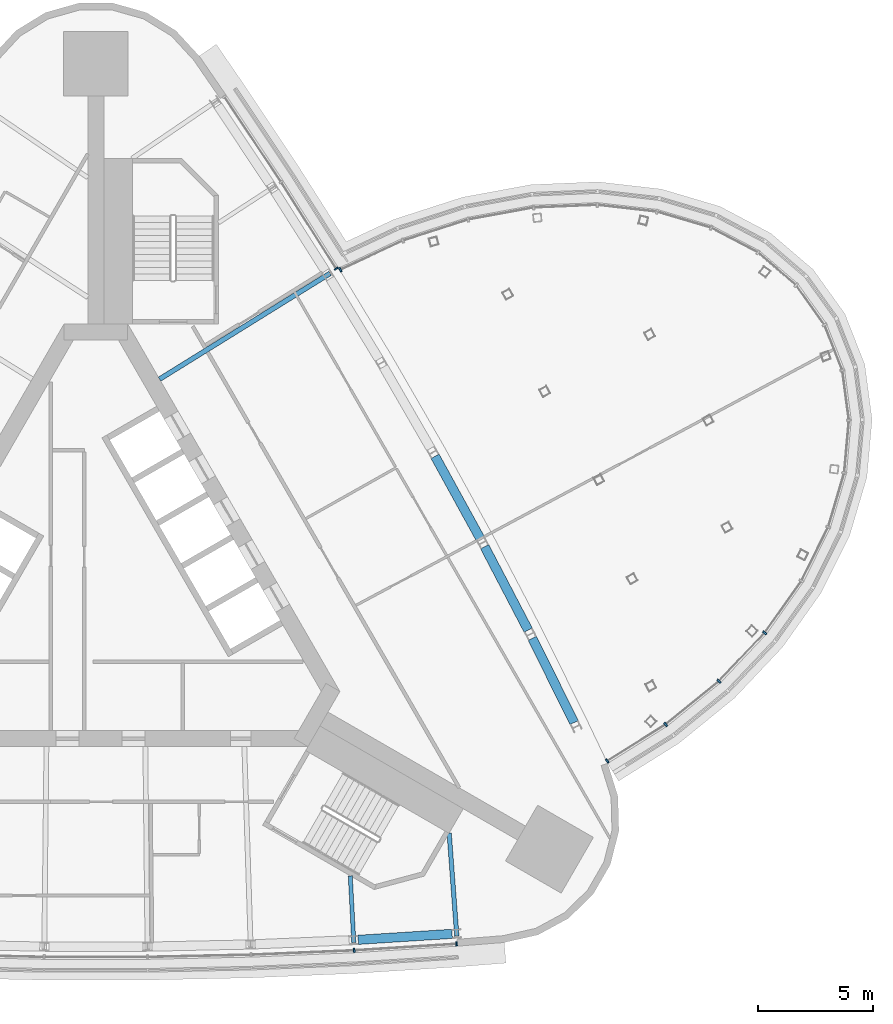
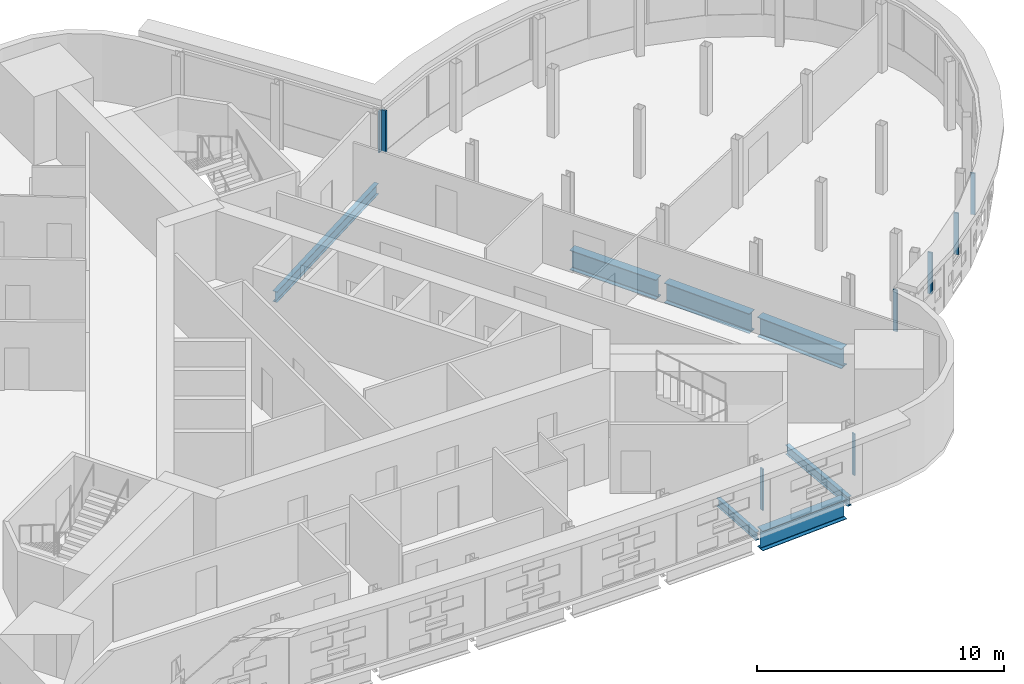
# One storey, part 6 of 15: 8 members, 7 beams, 3 elements without a shape of their own.
"""IFC4 building model written with IfcOpenShell, lengths in metres."""

from ifc_helpers import new_model, si_unit, direction, frame, origin, origin_2d, place, context, subcontext, project, spatial, rectangle, i_section, extrude, material, material_profile, profile_set, type_object, element, aggregate, save


model = new_model("IFC4")

# Units and contexts
model_context = context("Model", 3, precision=1e-05, world=origin(), true_north=direction((0.0, 1.0)))
body_context = subcontext(model_context, "Body", "Model", "MODEL_VIEW")
ifc_project = project(units=[si_unit("LENGTHUNIT", "METRE"), si_unit("AREAUNIT", "SQUARE_METRE"), si_unit("VOLUMEUNIT", "CUBIC_METRE"), si_unit("PLANEANGLEUNIT", "RADIAN"), si_unit("MASSUNIT", "GRAM", prefix="KILO")], contexts=[model_context])

# Site, building, storey
site_placement = place(None, origin())
site = spatial("IfcSite", under=ifc_project, at=site_placement, CompositionType="ELEMENT")
building_placement = place(site_placement, origin())
building = spatial("IfcBuilding", under=site, at=building_placement, Name="Noor Cloister Tower", CompositionType="ELEMENT")
storey_placement = place(building_placement, frame((0.0, 0.0, 174.300048828125)))
storey = spatial("IfcBuildingStorey", under=building, at=storey_placement, Name="L44", CompositionType="ELEMENT", Elevation=174.300048828125)

# Beams
ifc_material_1 = material(Name="Steel ASTM A992 Gr 50", Category="steel")
ifc_material_profile_1 = material_profile(ifc_material_1, i_section(OverallWidth=0.40087890625, OverallDepth=0.98291015625, WebThickness=0.0166015625, FlangeThickness=0.027099609375, FilletRadius=0.030029296875, at=origin_2d()), Name="W1000x296")
ifc_profile_set_1 = profile_set([ifc_material_profile_1], Name="Steel ASTM A992 Gr 50")
beam_type_1 = type_object("IfcBeamType", Name="Belt chord girder W1000x296", PredefinedType="BEAM", material=ifc_profile_set_1)
for number, where, z_axis, x_axis, name in (
    (1, (11.412353515625, -15.335693359375, -0.691650390625), (0.99798140433, 0.063506823352, 0.0), (-0.063506823352, 0.99798140433, 0.0), "Spandrel beam S 07 L44"),
    (2, (20.804931640625, -5.884033203125, -0.691650390625), (-0.444014503497, 0.896019598382, 0.0), (-0.896019598382, -0.444014503497, 0.0), "Spandrel beam NE 01 L44"),
    (3, (18.80859375, -1.8642578125, -0.691650390625), (-0.462910374698, 0.886405090801, 0.0), (-0.886405090801, -0.462910374698, 0.0), "Spandrel beam NE 02 L44"),
):
    element("IfcBeam", number, at=place(storey_placement, frame(where, z_axis=z_axis, x_axis=x_axis)), inside=storey, type_object=beam_type_1, Name=name, PredefinedType="BEAM", context=body_context, shape_type="SweptSolid", body=[
        extrude(i_section(OverallWidth=0.40087890625, OverallDepth=0.98291015625, WebThickness=0.0166015625, FlangeThickness=0.027099609375, FilletRadius=0.030029296875, at=origin_2d()), origin(), (0.0, 0.0, 1.0), 4.09423828125),
    ])
beam_1_placement = place(storey_placement, frame((16.727294921875, 2.1123046875, -0.691650390625), z_axis=(-0.481536411785, 0.876426085945, 0.0), x_axis=(-0.876426085945, -0.481536411785, 0.0)))
element("IfcBeam", 4, at=beam_1_placement, inside=storey, type_object=beam_type_1, Name="Spandrel beam NE 03 L44", PredefinedType="BEAM", context=body_context, shape_type="SweptSolid", body=[
    extrude(i_section(OverallWidth=0.40087890625, OverallDepth=0.98291015625, WebThickness=0.0166015625, FlangeThickness=0.027099609375, FilletRadius=0.030029296875, at=origin_2d()), origin(), (0.0, 0.0, 1.0), 4.093994140625),
])

# Curtain wall, members
ifc_material_2 = material(Name="Aluminium 6063-T6 anodised", Category="aluminium")
curtain_wall_type_1 = type_object("IfcCurtainWallType", Name="Sky bar curtain wall, lower bars CW2", PredefinedType="NOTDEFINED", material=ifc_material_2)
curtain_wall_1_placement = place(storey_placement, origin())
curtain_wall_1 = element("IfcCurtainWall", 5, at=curtain_wall_1_placement, inside=storey, type_object=curtain_wall_type_1, Name="CW2 L44 NE sky bar run 3", PredefinedType="NOTDEFINED")
ifc_material_3 = material(Name="Aluminium 6063-T6 anodised", Category="aluminium")
ifc_material_profile_2 = material_profile(ifc_material_3, rectangle(XDim=0.199951171875, YDim=0.080078125, at=origin_2d()), Name="200 x 80 mullion")
ifc_profile_set_2 = profile_set([ifc_material_profile_2], Name="Aluminium 6063-T6 anodised")
member_type_1 = type_object("IfcMemberType", Name="Mullion CW2 80 x 200", PredefinedType="MULLION", material=ifc_profile_set_2)
member_1_placement = place(storey_placement, frame((22.245849609375, -7.55615234375, 1.099853515625), z_axis=(0.0, 0.0, 1.0), x_axis=(-0.530209130186, 0.84786689891, 0.0)))
member_1 = element("IfcMember", 6, at=member_1_placement, type_object=member_type_1, Name="CW2 mullion 1", PredefinedType="MULLION", context=body_context, shape_type="SweptSolid", body=[
    extrude(rectangle(XDim=0.199951171875, YDim=0.080078125, at=origin_2d()), origin(), (0.0, 0.0, 1.0), 2.050048828125),
])
member_2_placement = place(storey_placement, frame((24.7880859375, -5.966552734375, 1.099853515625), z_axis=(0.0, 0.0, 1.0), x_axis=(-0.581874396792, 0.81327866464, 0.0)))
member_2 = element("IfcMember", 7, at=member_2_placement, type_object=member_type_1, Name="CW2 mullion 2", PredefinedType="MULLION", context=body_context, shape_type="SweptSolid", body=[
    extrude(rectangle(XDim=0.199951171875, YDim=0.080078125, at=origin_2d()), origin(), (0.0, 0.0, 1.0), 2.050048828125),
])
member_3_placement = place(storey_placement, frame((27.103271484375, -4.08203125, 1.099853515625), z_axis=(0.0, 0.0, 1.0), x_axis=(-0.680412465935, 0.732829363632, 0.0)))
member_3 = element("IfcMember", 8, at=member_3_placement, type_object=member_type_1, Name="CW2 mullion 3", PredefinedType="MULLION", context=body_context, shape_type="SweptSolid", body=[
    extrude(rectangle(XDim=0.199951171875, YDim=0.080078125, at=origin_2d()), origin(), (0.0, 0.0, 1.0), 2.050048828125),
])
member_4_placement = place(storey_placement, frame((29.092041015625, -1.978271484375, 1.099853515625), z_axis=(0.0, 0.0, 1.0), x_axis=(-0.773025810349, 0.63437457116, 0.0)))
member_4 = element("IfcMember", 9, at=member_4_placement, type_object=member_type_1, Name="CW2 mullion 4", PredefinedType="MULLION", context=body_context, shape_type="SweptSolid", body=[
    extrude(rectangle(XDim=0.199951171875, YDim=0.080078125, at=origin_2d()), origin(), (0.0, 0.0, 1.0), 2.050048828125),
])
member_5_placement = place(storey_placement, frame((10.63671875, 13.81494140625, 1.099853515625), z_axis=(0.0, 0.0, 1.0), x_axis=(0.42267033408, -0.906283503485, 0.0)))
member_5 = element("IfcMember", 10, at=member_5_placement, type_object=member_type_1, Name="CW2 mullion 19", PredefinedType="MULLION", context=body_context, shape_type="SweptSolid", body=[
    extrude(rectangle(XDim=0.199951171875, YDim=0.080078125, at=origin_2d()), origin(), (0.0, 0.0, 1.0), 2.050048828125),
])
aggregate(curtain_wall_1, [member_1, member_2, member_3, member_4, member_5])

ifc_material_4 = material(Name="Aluminium 6063-T6 anodised", Category="aluminium")
curtain_wall_type_2 = type_object("IfcCurtainWallType", Name="Ribbon curtain wall, upper tower CW5", PredefinedType="NOTDEFINED", material=ifc_material_4)
curtain_wall_2_placement = place(storey_placement, origin())
curtain_wall_2 = element("IfcCurtainWall", 11, at=curtain_wall_2_placement, inside=storey, type_object=curtain_wall_type_2, Name="CW5 L44 S run 2", PredefinedType="NOTDEFINED")
ifc_material_5 = material(Name="Aluminium 6063-T6 anodised", Category="aluminium")
ifc_material_profile_3 = material_profile(ifc_material_5, rectangle(XDim=0.179931640625, YDim=0.070068359375, at=origin_2d()), Name="180 x 70 mullion")
ifc_profile_set_3 = profile_set([ifc_material_profile_3], Name="Aluminium 6063-T6 anodised")
member_type_2 = type_object("IfcMemberType", Name="Mullion CW5 70 x 180", PredefinedType="MULLION", material=ifc_profile_set_3)
member_6_placement = place(storey_placement, frame((11.239501953125, -15.797607421875, 1.099853515625), z_axis=(0.0, 0.0, 1.0), x_axis=(-0.052929225413, 0.99859826612, 0.0)))
member_6 = element("IfcMember", 12, at=member_6_placement, type_object=member_type_2, Name="CW5 mullion 7", PredefinedType="MULLION", context=body_context, shape_type="SweptSolid", body=[
    extrude(rectangle(XDim=0.179931640625, YDim=0.070068359375, at=origin_2d()), origin(), (0.0, 0.0, 1.0), 2.050048828125),
])
member_7_placement = place(storey_placement, frame((15.6943359375, -15.51416015625, 1.099853515625), z_axis=(0.0, 0.0, 1.0), x_axis=(-0.063502011378, 0.997981710529, 0.0)))
member_7 = element("IfcMember", 13, at=member_7_placement, type_object=member_type_2, Name="CW5 mullion 8", PredefinedType="MULLION", context=body_context, shape_type="SweptSolid", body=[
    extrude(rectangle(XDim=0.179931640625, YDim=0.070068359375, at=origin_2d()), origin(), (0.0, 0.0, 1.0), 2.050048828125),
])
aggregate(curtain_wall_2, [member_6, member_7])

# Curtain wall, member
curtain_wall_3_placement = place(storey_placement, origin())
curtain_wall_3 = element("IfcCurtainWall", 14, at=curtain_wall_3_placement, inside=storey, type_object=curtain_wall_type_2, Name="CW5 L44 NE run 4", PredefinedType="NOTDEFINED")
member_8_placement = place(storey_placement, frame((10.455078125, 13.864501953125, 1.099853515625), z_axis=(0.0, 0.0, 1.0), x_axis=(-0.844073158066, -0.536228033426, 0.0)))
member_8 = element("IfcMember", 15, at=member_8_placement, type_object=member_type_2, Name="CW5 mullion 1", PredefinedType="MULLION", context=body_context, shape_type="SweptSolid", body=[
    extrude(rectangle(XDim=0.179931640625, YDim=0.070068359375, at=origin_2d()), origin(), (0.0, 0.0, 1.0), 2.050048828125),
])
aggregate(curtain_wall_3, [member_8])

# Beams
ifc_material_6 = material(Name="Steel ASTM A992 Gr 50", Category="steel")
ifc_material_profile_4 = material_profile(ifc_material_6, i_section(OverallWidth=0.177978515625, OverallDepth=0.406005859375, WebThickness=0.0078125, FlangeThickness=0.0126953125, FilletRadius=0.01025390625, at=origin_2d()), Name="W410x60")
ifc_profile_set_4 = profile_set([ifc_material_profile_4], Name="Steel ASTM A992 Gr 50")
beam_type_2 = type_object("IfcBeamType", Name="Radial beam W410x60", PredefinedType="BEAM", material=ifc_profile_set_4)
beam_2_placement = place(storey_placement, frame((11.2216796875, -15.4599609375, -0.403076171875), z_axis=(-0.052963490768, 0.998596449346, 0.0), x_axis=(-0.998596449346, -0.052963490768, 0.0)))
element("IfcBeam", 16, at=beam_2_placement, inside=storey, type_object=beam_type_2, Name="Radial beam S 07 L44", PredefinedType="BEAM", context=body_context, shape_type="SweptSolid", body=[
    extrude(i_section(OverallWidth=0.177978515625, OverallDepth=0.406005859375, WebThickness=0.0078125, FlangeThickness=0.0126953125, FilletRadius=0.01025390625, at=origin_2d()), origin(), (0.0, 0.0, 1.0), 2.913330078125),
])
ifc_material_7 = material(Name="Steel ASTM A992 Gr 50", Category="steel")
ifc_material_profile_5 = material_profile(ifc_material_7, i_section(OverallWidth=0.19091796875, OverallDepth=0.45703125, WebThickness=0.009033203125, FlangeThickness=0.014404296875, FilletRadius=0.01025390625, at=origin_2d()), Name="W460x74")
ifc_profile_set_5 = profile_set([ifc_material_profile_5], Name="Steel ASTM A992 Gr 50")
beam_type_3 = type_object("IfcBeamType", Name="Radial beam W460x74", PredefinedType="BEAM", material=ifc_profile_set_5)
beam_3_placement = place(storey_placement, frame((15.703125, -15.1748046875, -0.428466796875), z_axis=(-0.074063693337, 0.997253513069, 0.0), x_axis=(-0.997253513069, -0.074063693337, 0.0)))
element("IfcBeam", 17, at=beam_3_placement, inside=storey, type_object=beam_type_3, Name="Radial beam S 08 L44", PredefinedType="BEAM", context=body_context, shape_type="SweptSolid", body=[
    extrude(i_section(OverallWidth=0.19091796875, OverallDepth=0.45703125, WebThickness=0.009033203125, FlangeThickness=0.014404296875, FilletRadius=0.01025390625, at=origin_2d()), origin(), (0.0, 0.0, 1.0), 4.496337890625),
])
ifc_material_8 = material(Name="Steel ASTM A992 Gr 50", Category="steel")
ifc_material_profile_6 = material_profile(ifc_material_8, i_section(OverallWidth=0.208984375, OverallDepth=0.532958984375, WebThickness=0.01025390625, FlangeThickness=0.015625, FilletRadius=0.0126953125, at=origin_2d()), Name="W530x92")
ifc_profile_set_6 = profile_set([ifc_material_profile_6], Name="Steel ASTM A992 Gr 50")
beam_type_4 = type_object("IfcBeamType", Name="Radial beam W530x92", PredefinedType="BEAM", material=ifc_profile_set_6)
beam_4_placement = place(storey_placement, frame((10.18603515625, 13.65771484375, -0.466552734375), z_axis=(-0.849702407051, -0.52726257164, 0.0), x_axis=(0.52726257164, -0.849702407051, 0.0)))
element("IfcBeam", 18, at=beam_4_placement, inside=storey, type_object=beam_type_4, Name="Radial beam NE 06 L44", PredefinedType="BEAM", context=body_context, shape_type="SweptSolid", body=[
    extrude(i_section(OverallWidth=0.208984375, OverallDepth=0.532958984375, WebThickness=0.01025390625, FlangeThickness=0.015625, FilletRadius=0.0126953125, at=origin_2d()), origin(), (0.0, 0.0, 1.0), 8.726318359375),
])

save(model, "model.ifc")
